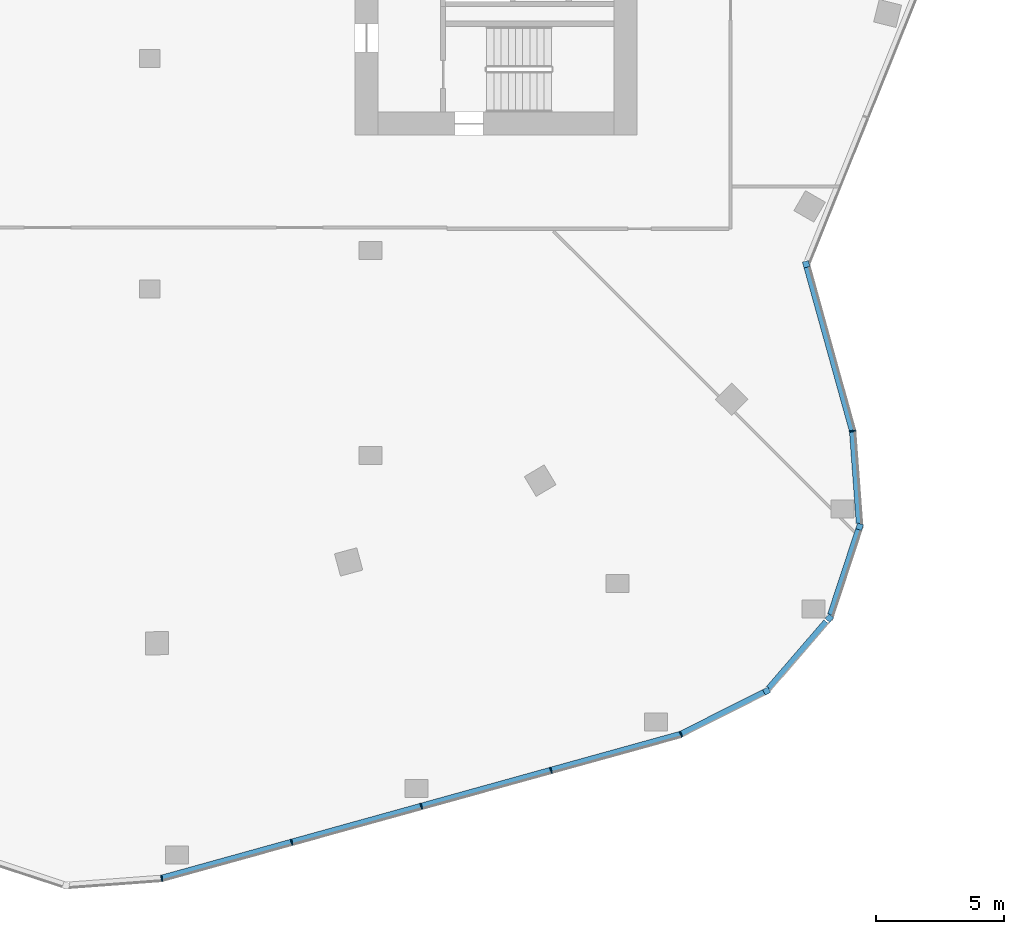
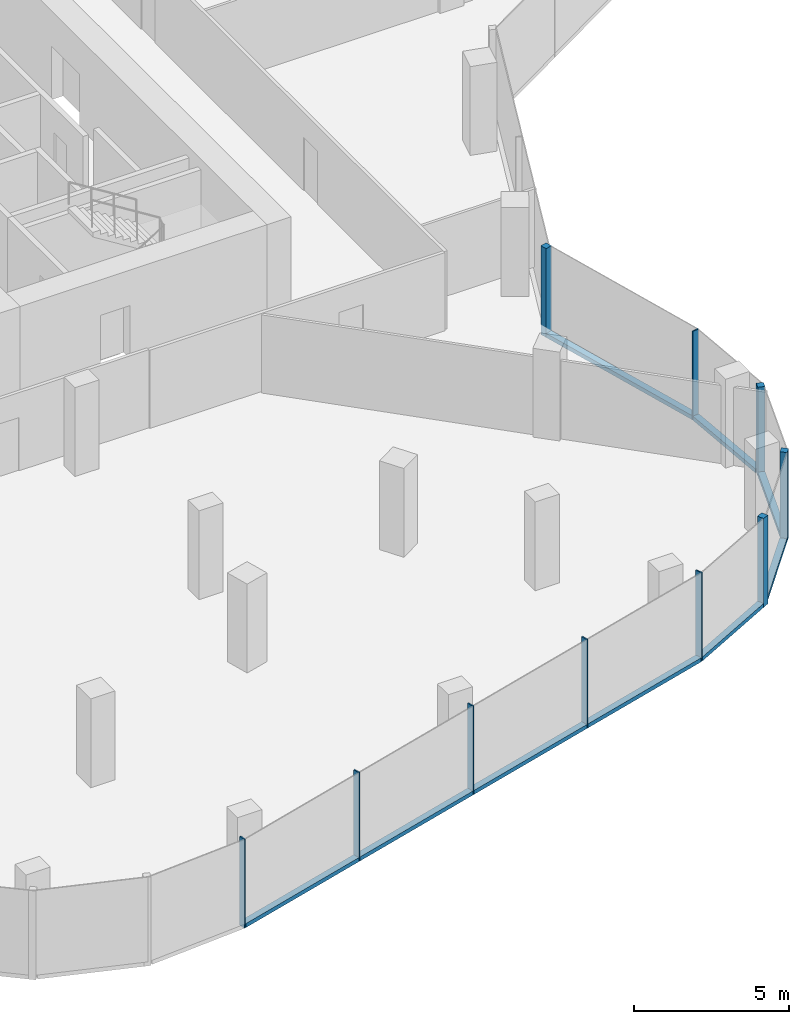
# One storey, part 4 of 15: 16 members, 7 elements without a shape of their own.
"""IFC4 building model written with IfcOpenShell, lengths in metres."""

from ifc_helpers import new_model, si_unit, direction, frame, origin, origin_2d, place, context, subcontext, project, spatial, rectangle, extrude, material, material_profile, profile_set, type_object, element, aggregate, save


model = new_model("IFC4")

# Units and contexts
model_context = context("Model", 3, precision=1e-05, world=origin(), true_north=direction((0.0, 1.0)))
body_context = subcontext(model_context, "Body", "Model", "MODEL_VIEW")
ifc_project = project(units=[si_unit("LENGTHUNIT", "METRE"), si_unit("AREAUNIT", "SQUARE_METRE"), si_unit("VOLUMEUNIT", "CUBIC_METRE"), si_unit("PLANEANGLEUNIT", "RADIAN"), si_unit("MASSUNIT", "GRAM", prefix="KILO")], contexts=[model_context])

# Site, building, storey
site_placement = place(None, origin())
site = spatial("IfcSite", under=ifc_project, at=site_placement, CompositionType="ELEMENT")
building_placement = place(site_placement, origin())
building = spatial("IfcBuilding", under=site, at=building_placement, Name="Orlundy Tower", CompositionType="ELEMENT")
storey_placement = place(building_placement, frame((0.0, 0.0, 278.89990234375)))
storey = spatial("IfcBuildingStorey", under=building, at=storey_placement, Name="L74", CompositionType="ELEMENT", Elevation=278.89990234375)

# Curtain wall, member
ifc_material_1 = material(Name="Aluminium bronze anodised", Category="aluminium")
curtain_wall_type = type_object("IfcCurtainWallType", Name="CW6 wall", PredefinedType="NOTDEFINED", material=ifc_material_1)
curtain_wall_1_placement = place(storey_placement, origin())
curtain_wall_1 = element("IfcCurtainWall", 1, at=curtain_wall_1_placement, inside=storey, type_object=curtain_wall_type, Name="CW6 run 02", PredefinedType="NOTDEFINED")
ifc_material_2 = material(Name="Aluminium bronze anodised", Category="aluminium")
ifc_material_profile_1 = material_profile(ifc_material_2, rectangle(XDim=0.239990234375, YDim=0.239990234375, at=origin_2d()), Name="CW6 corner post 240x240")
ifc_profile_set_1 = profile_set([ifc_material_profile_1], Name="Aluminium bronze anodised")
member_type_1 = type_object("IfcMemberType", Name="CW6 corner post 240x240", PredefinedType="MULLION", material=ifc_profile_set_1)
member_1_placement = place(storey_placement, frame((25.603515625, -17.0341796875, -0.39990234375), z_axis=(0.0, 0.0, 1.0), x_axis=(0.963625538767, 0.26725609635, 0.0)))
member_1 = element("IfcMember", 2, at=member_1_placement, type_object=member_type_1, Name="CW6 mullion 5", PredefinedType="MULLION", context=body_context, shape_type="SweptSolid", body=[
    extrude(rectangle(XDim=0.239990234375, YDim=0.239990234375, at=origin_2d()), origin(), (0.0, 0.0, 1.0), 3.5),
])

curtain_wall_2_placement = place(storey_placement, origin())
curtain_wall_2 = element("IfcCurtainWall", 3, at=curtain_wall_2_placement, inside=storey, type_object=curtain_wall_type, Name="CW6 run 04", PredefinedType="NOTDEFINED")
member_2_placement = place(storey_placement, frame((27.685546875, -27.27587890625, -0.39990234375), z_axis=(0.0, 0.0, 1.0), x_axis=(0.949757042161, -0.312988116173, 0.0)))
member_2 = element("IfcMember", 4, at=member_2_placement, type_object=member_type_1, Name="CW6 mullion 7", PredefinedType="MULLION", context=body_context, shape_type="SweptSolid", body=[
    extrude(rectangle(XDim=0.239990234375, YDim=0.239990234375, at=origin_2d()), origin(), (0.0, 0.0, 1.0), 3.5),
])

curtain_wall_3_placement = place(storey_placement, origin())
curtain_wall_3 = element("IfcCurtainWall", 5, at=curtain_wall_3_placement, inside=storey, type_object=curtain_wall_type, Name="CW6 run 05", PredefinedType="NOTDEFINED")
member_3_placement = place(storey_placement, frame((26.510498046875, -30.84130859375, -0.39990234375), z_axis=(0.0, 0.0, 1.0), x_axis=(0.757501961463, -0.652832887024, 0.0)))
member_3 = element("IfcMember", 6, at=member_3_placement, type_object=member_type_1, Name="CW6 mullion 8", PredefinedType="MULLION", context=body_context, shape_type="SweptSolid", body=[
    extrude(rectangle(XDim=0.239990234375, YDim=0.239990234375, at=origin_2d()), origin(), (0.0, 0.0, 1.0), 3.5),
])

curtain_wall_4_placement = place(storey_placement, origin())
curtain_wall_4 = element("IfcCurtainWall", 7, at=curtain_wall_4_placement, inside=storey, type_object=curtain_wall_type, Name="CW6 run 06", PredefinedType="NOTDEFINED")
member_4_placement = place(storey_placement, frame((24.059326171875, -33.685302734375, -0.39990234375), z_axis=(0.0, 0.0, 1.0), x_axis=(0.450017257968, -0.893019858419, 0.0)))
member_4 = element("IfcMember", 8, at=member_4_placement, type_object=member_type_1, Name="CW6 mullion 9", PredefinedType="MULLION", context=body_context, shape_type="SweptSolid", body=[
    extrude(rectangle(XDim=0.239990234375, YDim=0.239990234375, at=origin_2d()), origin(), (0.0, 0.0, 1.0), 3.5),
])

curtain_wall_5_placement = place(storey_placement, origin())
curtain_wall_5 = element("IfcCurtainWall", 9, at=curtain_wall_5_placement, inside=storey, type_object=curtain_wall_type, Name="CW6 run 03", PredefinedType="NOTDEFINED")
ifc_material_3 = material(Name="Aluminium bronze anodised", Category="aluminium")
ifc_material_profile_2 = material_profile(ifc_material_3, rectangle(XDim=0.239990234375, YDim=0.050048828125, at=origin_2d()), Name="CW6 mullion 50x240")
ifc_profile_set_2 = profile_set([ifc_material_profile_2], Name="Aluminium bronze anodised")
member_type_2 = type_object("IfcMemberType", Name="CW6 mullion 50x240", PredefinedType="MULLION", material=ifc_profile_set_2)
member_5_placement = place(storey_placement, frame((27.40869140625, -23.543212890625, -0.39990234375), z_axis=(0.0, 0.0, 1.0), x_axis=(0.985199614066, 0.171410969437, 0.0)))
member_5 = element("IfcMember", 10, at=member_5_placement, type_object=member_type_2, Name="CW6 mullion 6", PredefinedType="MULLION", context=body_context, shape_type="SweptSolid", body=[
    extrude(rectangle(XDim=0.239990234375, YDim=0.050048828125, at=origin_2d()), origin(), (0.0, 0.0, 1.0), 3.5),
])

# Curtain wall, members
curtain_wall_6_placement = place(storey_placement, origin())
curtain_wall_6 = element("IfcCurtainWall", 11, at=curtain_wall_6_placement, inside=storey, type_object=curtain_wall_type, Name="CW6 run 07", PredefinedType="NOTDEFINED")
member_6_placement = place(storey_placement, frame((20.717529296875, -35.369384765625, -0.39990234375), z_axis=(0.0, 0.0, 1.0), x_axis=(0.360362746117, -0.932812248639, 0.0)))
member_6 = element("IfcMember", 12, at=member_6_placement, type_object=member_type_2, Name="CW6 mullion 10", PredefinedType="MULLION", context=body_context, shape_type="SweptSolid", body=[
    extrude(rectangle(XDim=0.239990234375, YDim=0.050048828125, at=origin_2d()), origin(), (0.0, 0.0, 1.0), 3.5),
])
member_7_placement = place(storey_placement, frame((15.64697265625, -36.775634765625, -0.39990234375), z_axis=(0.0, 0.0, 1.0), x_axis=(0.267241052476, -0.963629710974, 0.0)))
member_7 = element("IfcMember", 13, at=member_7_placement, type_object=member_type_2, Name="CW6 mullion 11", PredefinedType="MULLION", context=body_context, shape_type="SweptSolid", body=[
    extrude(rectangle(XDim=0.239990234375, YDim=0.050048828125, at=origin_2d()), origin(), (0.0, 0.0, 1.0), 3.5),
])
member_8_placement = place(storey_placement, frame((10.588134765625, -38.1787109375, -0.39990234375), z_axis=(0.0, 0.0, 1.0), x_axis=(0.267241052476, -0.963629710974, 0.0)))
member_8 = element("IfcMember", 14, at=member_8_placement, type_object=member_type_2, Name="CW6 mullion 12", PredefinedType="MULLION", context=body_context, shape_type="SweptSolid", body=[
    extrude(rectangle(XDim=0.239990234375, YDim=0.050048828125, at=origin_2d()), origin(), (0.0, 0.0, 1.0), 3.5),
])
member_9_placement = place(storey_placement, frame((5.529052734375, -39.58154296875, -0.39990234375), z_axis=(0.0, 0.0, 1.0), x_axis=(0.267241052476, -0.963629710974, 0.0)))
member_9 = element("IfcMember", 15, at=member_9_placement, type_object=member_type_2, Name="CW6 mullion 13", PredefinedType="MULLION", context=body_context, shape_type="SweptSolid", body=[
    extrude(rectangle(XDim=0.239990234375, YDim=0.050048828125, at=origin_2d()), origin(), (0.0, 0.0, 1.0), 3.5),
])

# Curtain wall, member
curtain_wall_7_placement = place(storey_placement, origin())
curtain_wall_7 = element("IfcCurtainWall", 16, at=curtain_wall_7_placement, inside=storey, type_object=curtain_wall_type, Name="CW6 run 08", PredefinedType="NOTDEFINED")
member_10_placement = place(storey_placement, frame((0.458740234375, -40.98779296875, -0.39990234375), z_axis=(0.0, 0.0, 1.0), x_axis=(0.17153579032, -0.98517788883, 0.0)))
member_10 = element("IfcMember", 17, at=member_10_placement, type_object=member_type_2, Name="CW6 mullion 14", PredefinedType="MULLION", context=body_context, shape_type="SweptSolid", body=[
    extrude(rectangle(XDim=0.239990234375, YDim=0.050048828125, at=origin_2d()), origin(), (0.0, 0.0, 1.0), 3.5),
])
aggregate(curtain_wall_7, [member_10])

# Member
ifc_material_4 = material(Name="Aluminium bronze anodised", Category="aluminium")
ifc_material_profile_3 = material_profile(ifc_material_4, rectangle(XDim=0.239990234375, YDim=0.159912109375, at=origin_2d()), Name="CW6 transom 240x160")
ifc_profile_set_3 = profile_set([ifc_material_profile_3], Name="Aluminium bronze anodised")
member_type_3 = type_object("IfcMemberType", Name="CW6 transom 240x160", PredefinedType="USERDEFINED", material=ifc_profile_set_3)
member_11_placement = place(storey_placement, frame((25.635498046875, -17.14990234375, -0.31982421875), z_axis=(0.267278070295, -0.963619444148, 0.0), x_axis=(0.963619444148, 0.267278070295, 0.0)))
member_11 = element("IfcMember", 18, at=member_11_placement, type_object=member_type_3, Name="CW6 transom", ObjectType="TRANSOM", PredefinedType="USERDEFINED", context=body_context, shape_type="SweptSolid", body=[
    extrude(rectangle(XDim=0.239990234375, YDim=0.159912109375, at=origin_2d()), origin(), (0.0, 0.0, 1.0), 6.609619140625),
])

aggregate(curtain_wall_1, [member_1, member_11])

member_12_placement = place(storey_placement, frame((27.41064453125, -23.568359375, -0.31982421875), z_axis=(0.073896749776, -0.997265897528, 0.0), x_axis=(0.997265897528, 0.073896749776, 0.0)))
member_12 = element("IfcMember", 19, at=member_12_placement, type_object=member_type_3, Name="CW6 transom", ObjectType="TRANSOM", PredefinedType="USERDEFINED", context=body_context, shape_type="SweptSolid", body=[
    extrude(rectangle(XDim=0.239990234375, YDim=0.159912109375, at=origin_2d()), origin(), (0.0, 0.0, 1.0), 3.587890625),
])

aggregate(curtain_wall_5, [member_5, member_12])

member_13_placement = place(storey_placement, frame((27.64794921875, -27.389892578125, -0.31982421875), z_axis=(-0.312985973529, -0.949757748257, 0.0), x_axis=(0.949757748257, -0.312985973529, 0.0)))
member_13 = element("IfcMember", 20, at=member_13_placement, type_object=member_type_3, Name="CW6 transom", ObjectType="TRANSOM", PredefinedType="USERDEFINED", context=body_context, shape_type="SweptSolid", body=[
    extrude(rectangle(XDim=0.239990234375, YDim=0.159912109375, at=origin_2d()), origin(), (0.0, 0.0, 1.0), 3.50390625),
])

aggregate(curtain_wall_2, [member_2, member_13])

member_14_placement = place(storey_placement, frame((26.38671875, -30.985107421875, -0.31982421875), z_axis=(-0.65289603536, -0.757447534164, 0.0), x_axis=(0.757447534164, -0.65289603536, 0.0)))
member_14 = element("IfcMember", 21, at=member_14_placement, type_object=member_type_3, Name="CW6 transom", ObjectType="TRANSOM", PredefinedType="USERDEFINED", context=body_context, shape_type="SweptSolid", body=[
    extrude(rectangle(XDim=0.239990234375, YDim=0.159912109375, at=origin_2d()), origin(), (0.0, 0.0, 1.0), 3.43505859375),
])

aggregate(curtain_wall_3, [member_3, member_14])

member_15_placement = place(storey_placement, frame((23.9521484375, -33.739501953125, -0.31982421875), z_axis=(-0.893024605068, -0.450007838535, 0.0), x_axis=(0.450007838535, -0.893024605068, 0.0)))
member_15 = element("IfcMember", 22, at=member_15_placement, type_object=member_type_3, Name="CW6 transom", ObjectType="TRANSOM", PredefinedType="USERDEFINED", context=body_context, shape_type="SweptSolid", body=[
    extrude(rectangle(XDim=0.239990234375, YDim=0.159912109375, at=origin_2d()), origin(), (0.0, 0.0, 1.0), 3.596923828125),
])

aggregate(curtain_wall_4, [member_4, member_15])

member_16_placement = place(storey_placement, frame((20.693359375, -35.376220703125, -0.31982421875), z_axis=(-0.963628895624, -0.267243992483, 0.0), x_axis=(0.267243992483, -0.963628895624, 0.0)))
member_16 = element("IfcMember", 23, at=member_16_placement, type_object=member_type_3, Name="CW6 transom", ObjectType="TRANSOM", PredefinedType="USERDEFINED", context=body_context, shape_type="SweptSolid", body=[
    extrude(rectangle(XDim=0.239990234375, YDim=0.159912109375, at=origin_2d()), origin(), (0.0, 0.0, 1.0), 20.973388671875),
])

aggregate(curtain_wall_6, [member_6, member_7, member_8, member_9, member_16])

save(model, "model.ifc")
